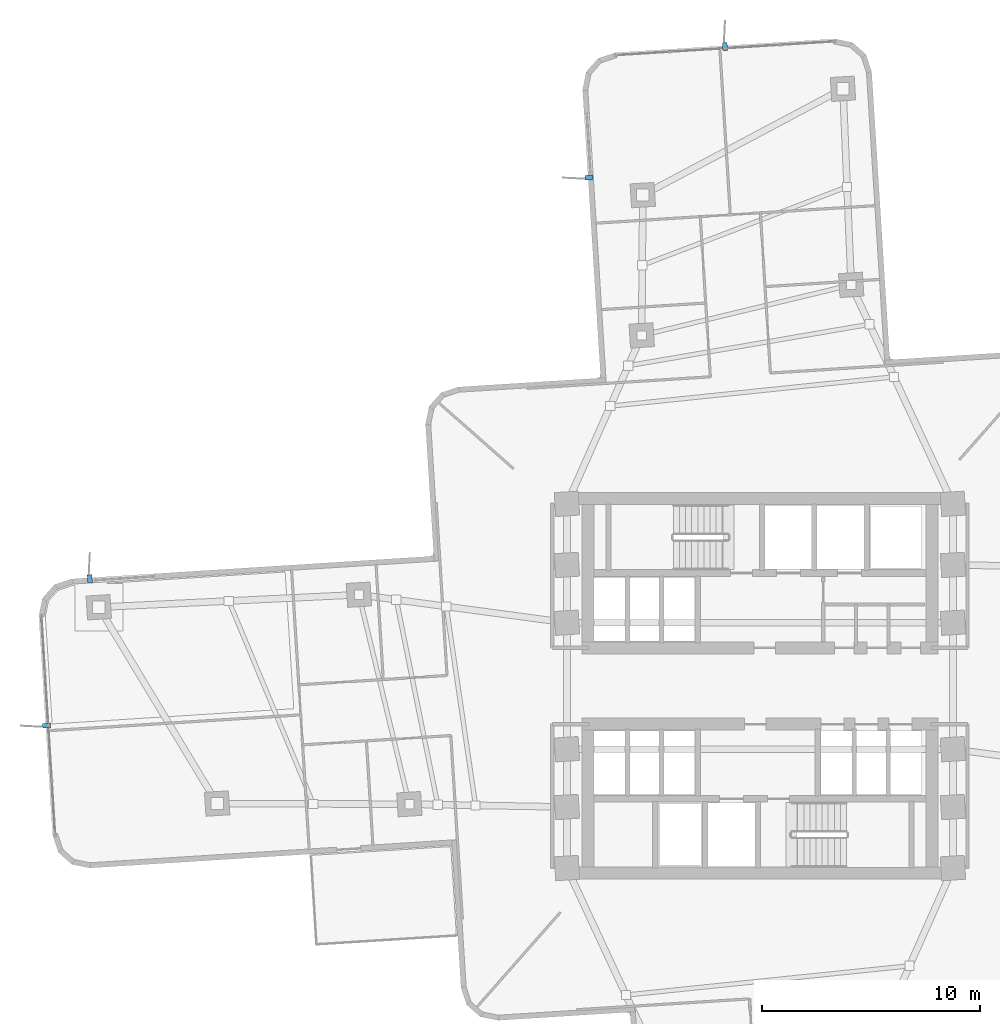
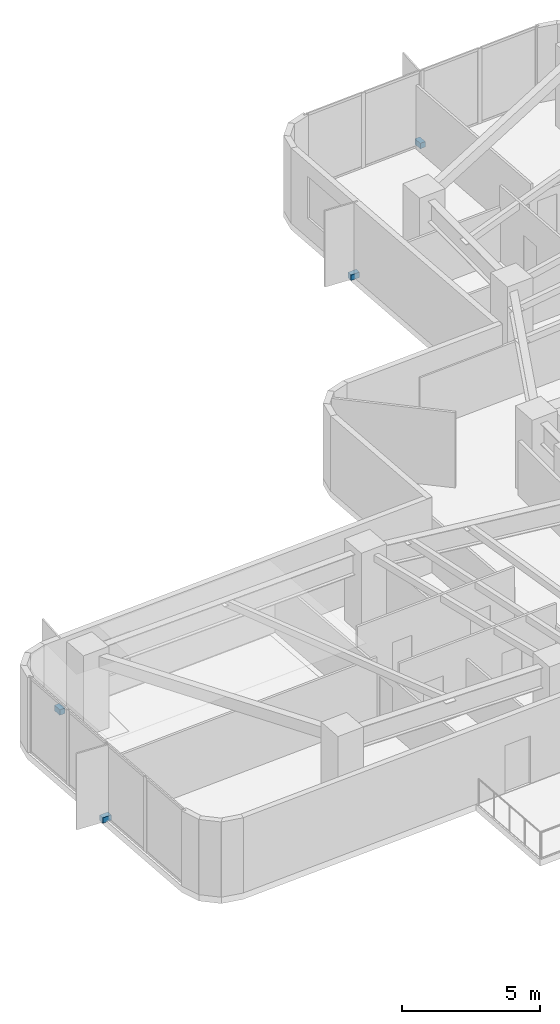
# One storey, part 12 of 16: 4 discrete accessories.
"""IFC4 building model written with IfcOpenShell, lengths in metres."""

from ifc_helpers import new_model, si_unit, direction, frame, origin, origin_2d, place, context, subcontext, project, spatial, rectangle, extrude, material, type_object, element, save


model = new_model("IFC4")

# Units and contexts
model_context = context("Model", 3, precision=1e-05, world=origin(), true_north=direction((0.0, 1.0)))
body_context = subcontext(model_context, "Body", "Model", "MODEL_VIEW")
ifc_project = project(units=[si_unit("LENGTHUNIT", "METRE"), si_unit("AREAUNIT", "SQUARE_METRE"), si_unit("VOLUMEUNIT", "CUBIC_METRE"), si_unit("PLANEANGLEUNIT", "RADIAN"), si_unit("MASSUNIT", "GRAM", prefix="KILO")], contexts=[model_context])

# Site, building, storey
site_placement = place(None, origin())
site = spatial("IfcSite", under=ifc_project, at=site_placement, CompositionType="ELEMENT")
building_placement = place(site_placement, origin())
building = spatial("IfcBuilding", under=site, at=building_placement, Name="Solmarez Civic Tower", CompositionType="ELEMENT")
storey_placement = place(building_placement, frame((0.0, 0.0, 53.280029296875)))
storey = spatial("IfcBuildingStorey", under=building, at=storey_placement, Name="L13", CompositionType="ELEMENT", Elevation=53.280029296875)

# Discrete accessories
ifc_material = material(Name="Stainless Steel Grade 1.4401", Category="steel")
discrete_accessory_type = type_object("IfcDiscreteAccessoryType", Name="BRACKET-SS-FIN", PredefinedType="BRACKET", material=ifc_material)
for number, where, z_axis, x_axis, name in (
    (1, (-32.7099609375, -1.818115234375, -0.06005859375), (0.0, 0.0, 1.0), (-0.998026548808, -0.062793374444, 0.0), "L13 Stainless Fin Support Bracket FIN-L13-01"),
    (2, (-30.72900390625, 4.919921875, -0.06005859375), (0.0, 0.0, 1.0), (-0.062790748343, 0.998026714032, 0.0), "L13 Stainless Fin Support Bracket FIN-L13-02"),
    (3, (-7.839111328125, 23.31298828125, -0.06005859375), (0.0, 0.0, 1.0), (-0.998024506732, -0.062825822418, 0.0), "L13 Stainless Fin Support Bracket FIN-L13-03"),
    (4, (-1.60400390625, 29.31689453125, -0.06005859375), (0.0, 0.0, 1.0), (-0.062799611558, 0.998026156365, 0.0), "L13 Stainless Fin Support Bracket FIN-L13-04"),
):
    element("IfcDiscreteAccessory", number, at=place(storey_placement, frame(where, z_axis=z_axis, x_axis=x_axis)), inside=storey, type_object=discrete_accessory_type, Name=name, PredefinedType="BRACKET", context=body_context, shape_type="SweptSolid", body=[
        extrude(rectangle(XDim=0.360107421875, YDim=0.219970703125, at=origin_2d()), origin(), (0.0, 0.0, 1.0), 0.239990234375),
    ])

save(model, "model.ifc")
